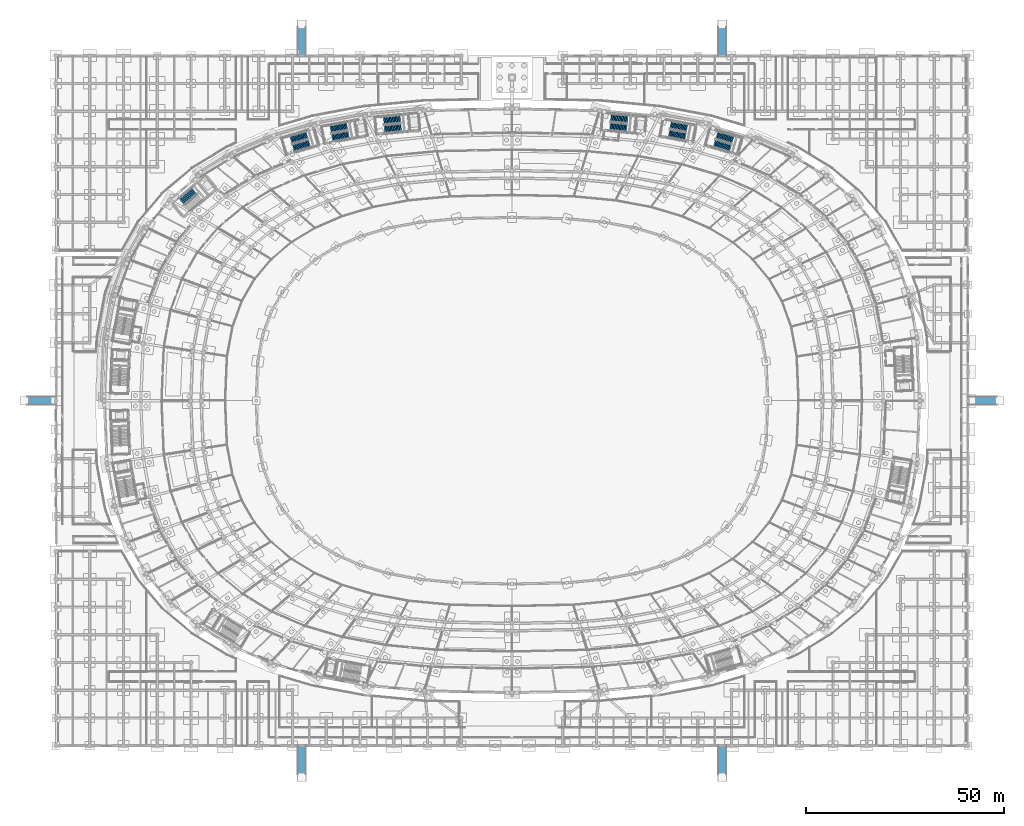
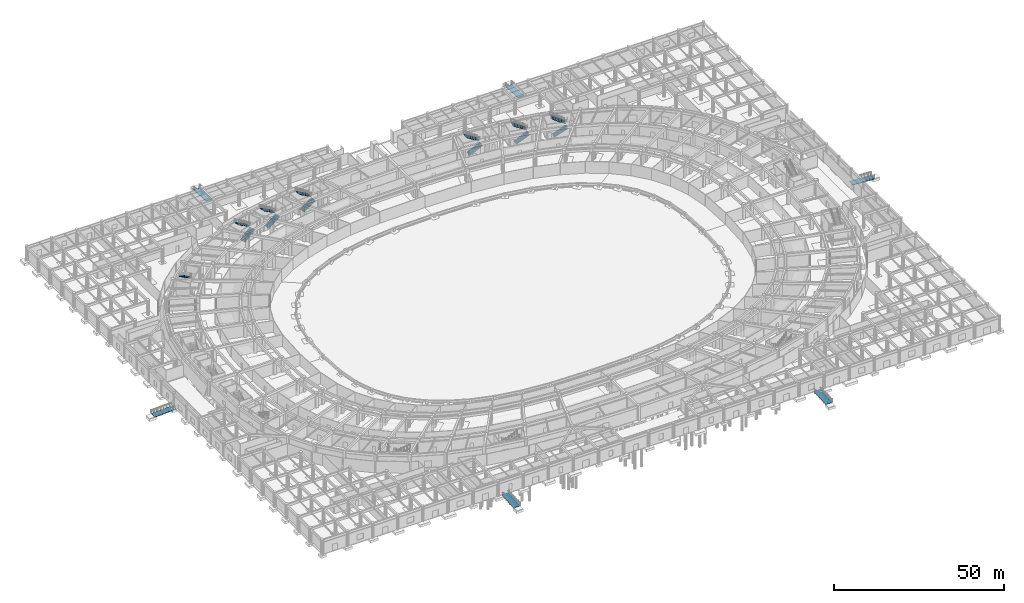
# One storey, part 67 of 88: 13 stair flights, 6 ramp flights, 13 elements without a shape of their own.
"""IFC4 building model written with IfcOpenShell, lengths in metres."""

from ifc_helpers import new_model, si_unit, direction, frame, origin, place, context, subcontext, project, spatial, polyline, outline, extrude, material, layer, layer_set, type_object, element, aggregate, save


model = new_model("IFC4")

# Units and contexts
model_context = context("Model", 3, precision=1e-05, world=origin(), true_north=direction((0.0, 1.0)))
body_context = subcontext(model_context, "Body", "Model", "MODEL_VIEW")
ifc_project = project(units=[si_unit("LENGTHUNIT", "METRE"), si_unit("AREAUNIT", "SQUARE_METRE"), si_unit("VOLUMEUNIT", "CUBIC_METRE"), si_unit("PLANEANGLEUNIT", "RADIAN"), si_unit("MASSUNIT", "GRAM", prefix="KILO")], contexts=[model_context])

# Site, building, storey
site_placement = place(None, origin())
site = spatial("IfcSite", under=ifc_project, at=site_placement, CompositionType="ELEMENT")
building_placement = place(site_placement, origin())
building = spatial("IfcBuilding", under=site, at=building_placement, Name="Mphavela Belvedere Stadium", CompositionType="ELEMENT")
storey_placement = place(building_placement, origin())
storey = spatial("IfcBuildingStorey", under=building, at=storey_placement, Name="L00", CompositionType="ELEMENT", Elevation=0.0)

# Stair, stair flights
ifc_material_1 = material(Name="Concrete C40/50", Category="concrete")
stair_type_1 = type_object("IfcStairType", Name="STR-HALF-TURN-2", PredefinedType="HALF_TURN_STAIR", material=ifc_material_1)
stair_1_placement = place(storey_placement, origin())
stair_1 = element("IfcStair", 1, at=stair_1_placement, inside=storey, type_object=stair_type_1, Name="L00 Escape stair core C02", PredefinedType="HALF_TURN_STAIR")
ifc_material_2 = material(Name="Concrete C40/50", Category="concrete")
stair_flight_type = type_object("IfcStairFlightType", Name="SFL-CORE-152", PredefinedType="STRAIGHT", material=ifc_material_2)
stair_flight_1_placement = place(storey_placement, frame((69.651611328125, 153.302490234375, 0.0), z_axis=(0.0, 0.0, 1.0), x_axis=(0.983095502692, 0.183093507769, 0.0)))
stair_flight_1 = element("IfcStairFlight", 2, at=stair_flight_1_placement, type_object=stair_flight_type, Name="ST-C02 flight 1", NumberOfRisers=15, NumberOfTreads=14, PredefinedType="STRAIGHT", RiserHeight=0.18, TreadLength=0.302, context=body_context, shape_type="SweptSolid", body=[
    extrude(outline(polyline([(0.0, 0.0), (0.0, 0.179931640625), (0.302001953125, 0.179931640625), (0.302001953125, 0.360107421875), (0.60400390625, 0.360107421875), (0.60400390625, 0.5400390625), (0.906005859375, 0.5400390625), (0.906005859375, 0.719970703125), (1.2080078125, 0.719970703125), (1.2080078125, 0.89990234375), (1.510009765625, 0.89990234375), (1.510009765625, 1.080078125), (1.81201171875, 1.080078125), (1.81201171875, 1.260009765625), (2.114013671875, 1.260009765625), (2.114013671875, 1.43994140625), (2.416015625, 1.43994140625), (2.416015625, 1.6201171875), (2.718017578125, 1.6201171875), (2.718017578125, 1.800048828125), (3.02001953125, 1.800048828125), (3.02001953125, 1.97998046875), (3.322021484375, 1.97998046875), (3.322021484375, 2.159912109375), (3.6240234375, 2.159912109375), (3.6240234375, 2.340087890625), (3.926025390625, 2.340087890625), (3.926025390625, 2.52001953125), (4.22802734375, 2.52001953125), (4.22802734375, 2.699951171875), (4.22802734375, 2.345458984375), (0.292724609375, 0.0), (0.0, 0.0)])), frame((0.0, 1.010009765625, 0.0), z_axis=(0.0, -1.0, 0.0), x_axis=(1.0, 0.0, 0.0)), (0.0, 0.0, 1.0), 2.02001953125),
])
stair_flight_2_placement = place(storey_placement, frame((73.410888671875, 156.209716796875, 2.699951171875), z_axis=(0.0, 0.0, 1.0), x_axis=(-0.983095502692, -0.183093507769, 0.0)))
stair_flight_2 = element("IfcStairFlight", 3, at=stair_flight_2_placement, type_object=stair_flight_type, Name="ST-C02 flight 2", NumberOfRisers=15, NumberOfTreads=14, PredefinedType="STRAIGHT", RiserHeight=0.18, TreadLength=0.302, context=body_context, shape_type="SweptSolid", body=[
    extrude(outline(polyline([(0.0, 0.0), (0.0, 0.179931640625), (0.302001953125, 0.179931640625), (0.302001953125, 0.360107421875), (0.60400390625, 0.360107421875), (0.60400390625, 0.5400390625), (0.906005859375, 0.5400390625), (0.906005859375, 0.719970703125), (1.2080078125, 0.719970703125), (1.2080078125, 0.89990234375), (1.510009765625, 0.89990234375), (1.510009765625, 1.080078125), (1.81201171875, 1.080078125), (1.81201171875, 1.260009765625), (2.114013671875, 1.260009765625), (2.114013671875, 1.43994140625), (2.416015625, 1.43994140625), (2.416015625, 1.6201171875), (2.718017578125, 1.6201171875), (2.718017578125, 1.800048828125), (3.02001953125, 1.800048828125), (3.02001953125, 1.97998046875), (3.322021484375, 1.97998046875), (3.322021484375, 2.159912109375), (3.6240234375, 2.159912109375), (3.6240234375, 2.340087890625), (3.926025390625, 2.340087890625), (3.926025390625, 2.52001953125), (4.22802734375, 2.52001953125), (4.22802734375, 2.699951171875), (4.22802734375, 2.345458984375), (0.292724609375, 0.0), (0.0, 0.0)])), frame((0.0, 1.010009765625, 0.0), z_axis=(0.0, -1.0, 0.0), x_axis=(1.0, 0.0, 0.0)), (0.0, 0.0, 1.0), 2.02001953125),
])
aggregate(stair_1, [stair_flight_1, stair_flight_2])

ifc_material_3 = material(Name="Concrete C40/50", Category="concrete")
stair_type_2 = type_object("IfcStairType", Name="STR-HALF-TURN-3", PredefinedType="HALF_TURN_STAIR", material=ifc_material_3)
stair_2_placement = place(storey_placement, origin())
stair_2 = element("IfcStair", 4, at=stair_2_placement, inside=storey, type_object=stair_type_2, Name="L00 Escape stair core C03", PredefinedType="HALF_TURN_STAIR")
stair_flight_3_placement = place(storey_placement, frame((139.716796875, 156.15625, 0.0), z_axis=(0.0, 0.0, 1.0), x_axis=(0.995479460536, -0.094977069084, 0.0)))
stair_flight_3 = element("IfcStairFlight", 5, at=stair_flight_3_placement, type_object=stair_flight_type, Name="ST-C03 flight 1", NumberOfRisers=15, NumberOfTreads=14, PredefinedType="STRAIGHT", RiserHeight=0.18, TreadLength=0.302, context=body_context, shape_type="SweptSolid", body=[
    extrude(outline(polyline([(0.0, 0.0), (0.0, 0.179931640625), (0.302001953125, 0.179931640625), (0.302001953125, 0.360107421875), (0.60400390625, 0.360107421875), (0.60400390625, 0.5400390625), (0.906005859375, 0.5400390625), (0.906005859375, 0.719970703125), (1.2080078125, 0.719970703125), (1.2080078125, 0.89990234375), (1.510009765625, 0.89990234375), (1.510009765625, 1.080078125), (1.81201171875, 1.080078125), (1.81201171875, 1.260009765625), (2.114013671875, 1.260009765625), (2.114013671875, 1.43994140625), (2.416015625, 1.43994140625), (2.416015625, 1.6201171875), (2.718017578125, 1.6201171875), (2.718017578125, 1.800048828125), (3.02001953125, 1.800048828125), (3.02001953125, 1.97998046875), (3.322021484375, 1.97998046875), (3.322021484375, 2.159912109375), (3.6240234375, 2.159912109375), (3.6240234375, 2.340087890625), (3.926025390625, 2.340087890625), (3.926025390625, 2.52001953125), (4.22802734375, 2.52001953125), (4.22802734375, 2.699951171875), (4.22802734375, 2.345458984375), (0.292724609375, 0.0), (0.0, 0.0)])), frame((0.0, 1.010009765625, 0.0), z_axis=(0.0, -1.0, 0.0), x_axis=(1.0, 0.0, 0.0)), (0.0, 0.0, 1.0), 2.02001953125),
])
stair_flight_4_placement = place(storey_placement, frame((144.1318359375, 157.914794921875, 2.699951171875), z_axis=(0.0, 0.0, 1.0), x_axis=(-0.995479460536, 0.094977069084, 0.0)))
stair_flight_4 = element("IfcStairFlight", 6, at=stair_flight_4_placement, type_object=stair_flight_type, Name="ST-C03 flight 2", NumberOfRisers=15, NumberOfTreads=14, PredefinedType="STRAIGHT", RiserHeight=0.18, TreadLength=0.302, context=body_context, shape_type="SweptSolid", body=[
    extrude(outline(polyline([(0.0, 0.0), (0.0, 0.179931640625), (0.302001953125, 0.179931640625), (0.302001953125, 0.360107421875), (0.60400390625, 0.360107421875), (0.60400390625, 0.5400390625), (0.906005859375, 0.5400390625), (0.906005859375, 0.719970703125), (1.2080078125, 0.719970703125), (1.2080078125, 0.89990234375), (1.510009765625, 0.89990234375), (1.510009765625, 1.080078125), (1.81201171875, 1.080078125), (1.81201171875, 1.260009765625), (2.114013671875, 1.260009765625), (2.114013671875, 1.43994140625), (2.416015625, 1.43994140625), (2.416015625, 1.6201171875), (2.718017578125, 1.6201171875), (2.718017578125, 1.800048828125), (3.02001953125, 1.800048828125), (3.02001953125, 1.97998046875), (3.322021484375, 1.97998046875), (3.322021484375, 2.159912109375), (3.6240234375, 2.159912109375), (3.6240234375, 2.340087890625), (3.926025390625, 2.340087890625), (3.926025390625, 2.52001953125), (4.22802734375, 2.52001953125), (4.22802734375, 2.699951171875), (4.22802734375, 2.345458984375), (0.292724609375, 0.0), (0.0, 0.0)])), frame((0.0, 1.010009765625, 0.0), z_axis=(0.0, -1.0, 0.0), x_axis=(1.0, 0.0, 0.0)), (0.0, 0.0, 1.0), 2.02001953125),
])
aggregate(stair_2, [stair_flight_3, stair_flight_4])

ifc_material_4 = material(Name="Concrete C40/50", Category="concrete")
stair_type_3 = type_object("IfcStairType", Name="STR-HALF-TURN-1", PredefinedType="HALF_TURN_STAIR", material=ifc_material_4)
stair_3_placement = place(storey_placement, origin())
stair_3 = element("IfcStair", 7, at=stair_3_placement, inside=storey, type_object=stair_type_3, Name="L00 Escape stair core C04", PredefinedType="HALF_TURN_STAIR")
stair_flight_5_placement = place(storey_placement, frame((82.85693359375, 155.44775390625, 0.0), z_axis=(0.0, 0.0, 1.0), x_axis=(0.995479460536, 0.094977069084, 0.0)))
stair_flight_5 = element("IfcStairFlight", 8, at=stair_flight_5_placement, type_object=stair_flight_type, Name="ST-C04 flight 1", NumberOfRisers=15, NumberOfTreads=14, PredefinedType="STRAIGHT", RiserHeight=0.18, TreadLength=0.302, context=body_context, shape_type="SweptSolid", body=[
    extrude(outline(polyline([(0.0, 0.0), (0.0, 0.179931640625), (0.302001953125, 0.179931640625), (0.302001953125, 0.360107421875), (0.60400390625, 0.360107421875), (0.60400390625, 0.5400390625), (0.906005859375, 0.5400390625), (0.906005859375, 0.719970703125), (1.2080078125, 0.719970703125), (1.2080078125, 0.89990234375), (1.510009765625, 0.89990234375), (1.510009765625, 1.080078125), (1.81201171875, 1.080078125), (1.81201171875, 1.260009765625), (2.114013671875, 1.260009765625), (2.114013671875, 1.43994140625), (2.416015625, 1.43994140625), (2.416015625, 1.6201171875), (2.718017578125, 1.6201171875), (2.718017578125, 1.800048828125), (3.02001953125, 1.800048828125), (3.02001953125, 1.97998046875), (3.322021484375, 1.97998046875), (3.322021484375, 2.159912109375), (3.6240234375, 2.159912109375), (3.6240234375, 2.340087890625), (3.926025390625, 2.340087890625), (3.926025390625, 2.52001953125), (4.22802734375, 2.52001953125), (4.22802734375, 2.699951171875), (4.22802734375, 2.345458984375), (0.292724609375, 0.0), (0.0, 0.0)])), frame((0.0, 1.010009765625, 0.0), z_axis=(0.0, -1.0, 0.0), x_axis=(1.0, 0.0, 0.0)), (0.0, 0.0, 1.0), 2.02001953125),
])
stair_flight_6_placement = place(storey_placement, frame((86.859619140625, 158.009521484375, 2.699951171875), z_axis=(0.0, 0.0, 1.0), x_axis=(-0.995479460536, -0.094977069084, 0.0)))
stair_flight_6 = element("IfcStairFlight", 9, at=stair_flight_6_placement, type_object=stair_flight_type, Name="ST-C04 flight 2", NumberOfRisers=15, NumberOfTreads=14, PredefinedType="STRAIGHT", RiserHeight=0.18, TreadLength=0.302, context=body_context, shape_type="SweptSolid", body=[
    extrude(outline(polyline([(0.0, 0.0), (0.0, 0.179931640625), (0.302001953125, 0.179931640625), (0.302001953125, 0.360107421875), (0.60400390625, 0.360107421875), (0.60400390625, 0.5400390625), (0.906005859375, 0.5400390625), (0.906005859375, 0.719970703125), (1.2080078125, 0.719970703125), (1.2080078125, 0.89990234375), (1.510009765625, 0.89990234375), (1.510009765625, 1.080078125), (1.81201171875, 1.080078125), (1.81201171875, 1.260009765625), (2.114013671875, 1.260009765625), (2.114013671875, 1.43994140625), (2.416015625, 1.43994140625), (2.416015625, 1.6201171875), (2.718017578125, 1.6201171875), (2.718017578125, 1.800048828125), (3.02001953125, 1.800048828125), (3.02001953125, 1.97998046875), (3.322021484375, 1.97998046875), (3.322021484375, 2.159912109375), (3.6240234375, 2.159912109375), (3.6240234375, 2.340087890625), (3.926025390625, 2.340087890625), (3.926025390625, 2.52001953125), (4.22802734375, 2.52001953125), (4.22802734375, 2.699951171875), (4.22802734375, 2.345458984375), (0.292724609375, 0.0), (0.0, 0.0)])), frame((0.0, 1.010009765625, 0.0), z_axis=(0.0, -1.0, 0.0), x_axis=(1.0, 0.0, 0.0)), (0.0, 0.0, 1.0), 2.02001953125),
])
aggregate(stair_3, [stair_flight_5, stair_flight_6])

# Stair, stair flight
stair_4_placement = place(storey_placement, origin())
stair_4 = element("IfcStair", 10, at=stair_4_placement, inside=storey, type_object=stair_type_1, Name="L00 Escape stair core C05", PredefinedType="HALF_TURN_STAIR")
stair_flight_7_placement = place(storey_placement, frame((34.89990234375, 139.910400390625, 2.699951171875), z_axis=(0.0, 0.0, 1.0), x_axis=(-0.764246456939, -0.644924300253, 0.0)))
stair_flight_7 = element("IfcStairFlight", 11, at=stair_flight_7_placement, type_object=stair_flight_type, Name="ST-C05 flight 2", NumberOfRisers=15, NumberOfTreads=14, PredefinedType="STRAIGHT", RiserHeight=0.18, TreadLength=0.302, context=body_context, shape_type="SweptSolid", body=[
    extrude(outline(polyline([(0.0, 0.0), (0.0, 0.179931640625), (0.302001953125, 0.179931640625), (0.302001953125, 0.360107421875), (0.60400390625, 0.360107421875), (0.60400390625, 0.5400390625), (0.906005859375, 0.5400390625), (0.906005859375, 0.719970703125), (1.2080078125, 0.719970703125), (1.2080078125, 0.89990234375), (1.510009765625, 0.89990234375), (1.510009765625, 1.080078125), (1.81201171875, 1.080078125), (1.81201171875, 1.260009765625), (2.114013671875, 1.260009765625), (2.114013671875, 1.43994140625), (2.416015625, 1.43994140625), (2.416015625, 1.6201171875), (2.718017578125, 1.6201171875), (2.718017578125, 1.800048828125), (3.02001953125, 1.800048828125), (3.02001953125, 1.97998046875), (3.322021484375, 1.97998046875), (3.322021484375, 2.159912109375), (3.6240234375, 2.159912109375), (3.6240234375, 2.340087890625), (3.926025390625, 2.340087890625), (3.926025390625, 2.52001953125), (4.22802734375, 2.52001953125), (4.22802734375, 2.699951171875), (4.22802734375, 2.345458984375), (0.292724609375, 0.0), (0.0, 0.0)])), frame((0.0, 1.010009765625, 0.0), z_axis=(0.0, -1.0, 0.0), x_axis=(1.0, 0.0, 0.0)), (0.0, 0.0, 1.0), 2.02001953125),
])
aggregate(stair_4, [stair_flight_7])

# Stair, stair flights
ifc_material_5 = material(Name="Precast concrete C45/55", Category="concrete")
stair_type_4 = type_object("IfcStairType", Name="STR-TWO-RET-1", PredefinedType="TWO_STRAIGHT_RUN_STAIR", material=ifc_material_5)
stair_5_placement = place(storey_placement, origin())
stair_5 = element("IfcStair", 12, at=stair_5_placement, inside=storey, type_object=stair_type_4, Name="L00 Escape stair core P01", PredefinedType="TWO_STRAIGHT_RUN_STAIR")
stair_flight_8_placement = place(storey_placement, frame((166.023681640625, 151.8837890625, 0.0), z_axis=(0.0, 0.0, 1.0), x_axis=(0.958670893355, -0.284517342588, 0.0)))
stair_flight_8 = element("IfcStairFlight", 13, at=stair_flight_8_placement, type_object=stair_flight_type, Name="ST-P01 flight 1", NumberOfRisers=15, NumberOfTreads=14, PredefinedType="STRAIGHT", RiserHeight=0.18, TreadLength=0.302, context=body_context, shape_type="SweptSolid", body=[
    extrude(outline(polyline([(0.0, 0.0), (0.0, 0.179931640625), (0.302001953125, 0.179931640625), (0.302001953125, 0.360107421875), (0.60400390625, 0.360107421875), (0.60400390625, 0.5400390625), (0.906005859375, 0.5400390625), (0.906005859375, 0.719970703125), (1.2080078125, 0.719970703125), (1.2080078125, 0.89990234375), (1.510009765625, 0.89990234375), (1.510009765625, 1.080078125), (1.81201171875, 1.080078125), (1.81201171875, 1.260009765625), (2.114013671875, 1.260009765625), (2.114013671875, 1.43994140625), (2.416015625, 1.43994140625), (2.416015625, 1.6201171875), (2.718017578125, 1.6201171875), (2.718017578125, 1.800048828125), (3.02001953125, 1.800048828125), (3.02001953125, 1.97998046875), (3.322021484375, 1.97998046875), (3.322021484375, 2.159912109375), (3.6240234375, 2.159912109375), (3.6240234375, 2.340087890625), (3.926025390625, 2.340087890625), (3.926025390625, 2.52001953125), (4.22802734375, 2.52001953125), (4.22802734375, 2.699951171875), (4.22802734375, 2.345458984375), (0.292724609375, 0.0), (0.0, 0.0)])), frame((0.0, 1.010009765625, 0.0), z_axis=(0.0, -1.0, 0.0), x_axis=(1.0, 0.0, 0.0)), (0.0, 0.0, 1.0), 2.02001953125),
])
stair_flight_9_placement = place(storey_placement, frame((170.6943359375, 152.76123046875, 2.699951171875), z_axis=(0.0, 0.0, 1.0), x_axis=(-0.958670893355, 0.284517342588, 0.0)))
stair_flight_9 = element("IfcStairFlight", 14, at=stair_flight_9_placement, type_object=stair_flight_type, Name="ST-P01 flight 2", NumberOfRisers=15, NumberOfTreads=14, PredefinedType="STRAIGHT", RiserHeight=0.18, TreadLength=0.302, context=body_context, shape_type="SweptSolid", body=[
    extrude(outline(polyline([(0.0, 0.0), (0.0, 0.179931640625), (0.302001953125, 0.179931640625), (0.302001953125, 0.360107421875), (0.60400390625, 0.360107421875), (0.60400390625, 0.5400390625), (0.906005859375, 0.5400390625), (0.906005859375, 0.719970703125), (1.2080078125, 0.719970703125), (1.2080078125, 0.89990234375), (1.510009765625, 0.89990234375), (1.510009765625, 1.080078125), (1.81201171875, 1.080078125), (1.81201171875, 1.260009765625), (2.114013671875, 1.260009765625), (2.114013671875, 1.43994140625), (2.416015625, 1.43994140625), (2.416015625, 1.6201171875), (2.718017578125, 1.6201171875), (2.718017578125, 1.800048828125), (3.02001953125, 1.800048828125), (3.02001953125, 1.97998046875), (3.322021484375, 1.97998046875), (3.322021484375, 2.159912109375), (3.6240234375, 2.159912109375), (3.6240234375, 2.340087890625), (3.926025390625, 2.340087890625), (3.926025390625, 2.52001953125), (4.22802734375, 2.52001953125), (4.22802734375, 2.699951171875), (4.22802734375, 2.345458984375), (0.292724609375, 0.0), (0.0, 0.0)])), frame((0.0, 1.010009765625, 0.0), z_axis=(0.0, -1.0, 0.0), x_axis=(1.0, 0.0, 0.0)), (0.0, 0.0, 1.0), 2.02001953125),
])
aggregate(stair_5, [stair_flight_8, stair_flight_9])

ifc_material_6 = material(Name="Precast concrete C45/55", Category="concrete")
stair_type_5 = type_object("IfcStairType", Name="STR-TWO-RET-2", PredefinedType="TWO_STRAIGHT_RUN_STAIR", material=ifc_material_6)
stair_6_placement = place(storey_placement, origin())
stair_6 = element("IfcStair", 15, at=stair_6_placement, inside=storey, type_object=stair_type_5, Name="L00 Escape stair core P02", PredefinedType="TWO_STRAIGHT_RUN_STAIR")
stair_flight_10_placement = place(storey_placement, frame((154.577392578125, 154.377197265625, 0.0), z_axis=(0.0, 0.0, 1.0), x_axis=(0.983095502692, -0.183093507769, 0.0)))
stair_flight_10 = element("IfcStairFlight", 16, at=stair_flight_10_placement, type_object=stair_flight_type, Name="ST-P02 flight 1", NumberOfRisers=15, NumberOfTreads=14, PredefinedType="STRAIGHT", RiserHeight=0.18, TreadLength=0.302, context=body_context, shape_type="SweptSolid", body=[
    extrude(outline(polyline([(0.0, 0.0), (0.0, 0.179931640625), (0.302001953125, 0.179931640625), (0.302001953125, 0.360107421875), (0.60400390625, 0.360107421875), (0.60400390625, 0.5400390625), (0.906005859375, 0.5400390625), (0.906005859375, 0.719970703125), (1.2080078125, 0.719970703125), (1.2080078125, 0.89990234375), (1.510009765625, 0.89990234375), (1.510009765625, 1.080078125), (1.81201171875, 1.080078125), (1.81201171875, 1.260009765625), (2.114013671875, 1.260009765625), (2.114013671875, 1.43994140625), (2.416015625, 1.43994140625), (2.416015625, 1.6201171875), (2.718017578125, 1.6201171875), (2.718017578125, 1.800048828125), (3.02001953125, 1.800048828125), (3.02001953125, 1.97998046875), (3.322021484375, 1.97998046875), (3.322021484375, 2.159912109375), (3.6240234375, 2.159912109375), (3.6240234375, 2.340087890625), (3.926025390625, 2.340087890625), (3.926025390625, 2.52001953125), (4.22802734375, 2.52001953125), (4.22802734375, 2.699951171875), (4.22802734375, 2.345458984375), (0.292724609375, 0.0), (0.0, 0.0)])), frame((0.0, 1.010009765625, 0.0), z_axis=(0.0, -1.0, 0.0), x_axis=(1.0, 0.0, 0.0)), (0.0, 0.0, 1.0), 2.02001953125),
])
stair_flight_11_placement = place(storey_placement, frame((159.13134765625, 155.736328125, 2.699951171875), z_axis=(0.0, 0.0, 1.0), x_axis=(-0.983095502692, 0.183093507769, 0.0)))
stair_flight_11 = element("IfcStairFlight", 17, at=stair_flight_11_placement, type_object=stair_flight_type, Name="ST-P02 flight 2", NumberOfRisers=15, NumberOfTreads=14, PredefinedType="STRAIGHT", RiserHeight=0.18, TreadLength=0.302, context=body_context, shape_type="SweptSolid", body=[
    extrude(outline(polyline([(0.0, 0.0), (0.0, 0.179931640625), (0.302001953125, 0.179931640625), (0.302001953125, 0.360107421875), (0.60400390625, 0.360107421875), (0.60400390625, 0.5400390625), (0.906005859375, 0.5400390625), (0.906005859375, 0.719970703125), (1.2080078125, 0.719970703125), (1.2080078125, 0.89990234375), (1.510009765625, 0.89990234375), (1.510009765625, 1.080078125), (1.81201171875, 1.080078125), (1.81201171875, 1.260009765625), (2.114013671875, 1.260009765625), (2.114013671875, 1.43994140625), (2.416015625, 1.43994140625), (2.416015625, 1.6201171875), (2.718017578125, 1.6201171875), (2.718017578125, 1.800048828125), (3.02001953125, 1.800048828125), (3.02001953125, 1.97998046875), (3.322021484375, 1.97998046875), (3.322021484375, 2.159912109375), (3.6240234375, 2.159912109375), (3.6240234375, 2.340087890625), (3.926025390625, 2.340087890625), (3.926025390625, 2.52001953125), (4.22802734375, 2.52001953125), (4.22802734375, 2.699951171875), (4.22802734375, 2.345458984375), (0.292724609375, 0.0), (0.0, 0.0)])), frame((0.0, 1.010009765625, 0.0), z_axis=(0.0, -1.0, 0.0), x_axis=(1.0, 0.0, 0.0)), (0.0, 0.0, 1.0), 2.02001953125),
])
aggregate(stair_6, [stair_flight_10, stair_flight_11])

stair_7_placement = place(storey_placement, origin())
stair_7 = element("IfcStair", 18, at=stair_7_placement, inside=storey, type_object=stair_type_4, Name="L00 Escape stair core P03", PredefinedType="TWO_STRAIGHT_RUN_STAIR")
stair_flight_12_placement = place(storey_placement, frame((59.873046875, 150.666015625, 0.0), z_axis=(0.0, 0.0, 1.0), x_axis=(0.958670893355, 0.284517342588, 0.0)))
stair_flight_12 = element("IfcStairFlight", 19, at=stair_flight_12_placement, type_object=stair_flight_type, Name="ST-P03 flight 1", NumberOfRisers=15, NumberOfTreads=14, PredefinedType="STRAIGHT", RiserHeight=0.18, TreadLength=0.302, context=body_context, shape_type="SweptSolid", body=[
    extrude(outline(polyline([(0.0, 0.0), (0.0, 0.179931640625), (0.302001953125, 0.179931640625), (0.302001953125, 0.360107421875), (0.60400390625, 0.360107421875), (0.60400390625, 0.5400390625), (0.906005859375, 0.5400390625), (0.906005859375, 0.719970703125), (1.2080078125, 0.719970703125), (1.2080078125, 0.89990234375), (1.510009765625, 0.89990234375), (1.510009765625, 1.080078125), (1.81201171875, 1.080078125), (1.81201171875, 1.260009765625), (2.114013671875, 1.260009765625), (2.114013671875, 1.43994140625), (2.416015625, 1.43994140625), (2.416015625, 1.6201171875), (2.718017578125, 1.6201171875), (2.718017578125, 1.800048828125), (3.02001953125, 1.800048828125), (3.02001953125, 1.97998046875), (3.322021484375, 1.97998046875), (3.322021484375, 2.159912109375), (3.6240234375, 2.159912109375), (3.6240234375, 2.340087890625), (3.926025390625, 2.340087890625), (3.926025390625, 2.52001953125), (4.22802734375, 2.52001953125), (4.22802734375, 2.699951171875), (4.22802734375, 2.345458984375), (0.292724609375, 0.0), (0.0, 0.0)])), frame((0.0, 1.010009765625, 0.0), z_axis=(0.0, -1.0, 0.0), x_axis=(1.0, 0.0, 0.0)), (0.0, 0.0, 1.0), 2.02001953125),
])
stair_flight_13_placement = place(storey_placement, frame((63.30908203125, 153.94921875, 2.699951171875), z_axis=(0.0, 0.0, 1.0), x_axis=(-0.958670893355, -0.284517342588, 0.0)))
stair_flight_13 = element("IfcStairFlight", 20, at=stair_flight_13_placement, type_object=stair_flight_type, Name="ST-P03 flight 2", NumberOfRisers=15, NumberOfTreads=14, PredefinedType="STRAIGHT", RiserHeight=0.18, TreadLength=0.302, context=body_context, shape_type="SweptSolid", body=[
    extrude(outline(polyline([(0.0, 0.0), (0.0, 0.179931640625), (0.302001953125, 0.179931640625), (0.302001953125, 0.360107421875), (0.60400390625, 0.360107421875), (0.60400390625, 0.5400390625), (0.906005859375, 0.5400390625), (0.906005859375, 0.719970703125), (1.2080078125, 0.719970703125), (1.2080078125, 0.89990234375), (1.510009765625, 0.89990234375), (1.510009765625, 1.080078125), (1.81201171875, 1.080078125), (1.81201171875, 1.260009765625), (2.114013671875, 1.260009765625), (2.114013671875, 1.43994140625), (2.416015625, 1.43994140625), (2.416015625, 1.6201171875), (2.718017578125, 1.6201171875), (2.718017578125, 1.800048828125), (3.02001953125, 1.800048828125), (3.02001953125, 1.97998046875), (3.322021484375, 1.97998046875), (3.322021484375, 2.159912109375), (3.6240234375, 2.159912109375), (3.6240234375, 2.340087890625), (3.926025390625, 2.340087890625), (3.926025390625, 2.52001953125), (4.22802734375, 2.52001953125), (4.22802734375, 2.699951171875), (4.22802734375, 2.345458984375), (0.292724609375, 0.0), (0.0, 0.0)])), frame((0.0, 1.010009765625, 0.0), z_axis=(0.0, -1.0, 0.0), x_axis=(1.0, 0.0, 0.0)), (0.0, 0.0, 1.0), 2.02001953125),
])
aggregate(stair_7, [stair_flight_12, stair_flight_13])

# Ramp, ramp flight
ifc_material_7 = material(Name="Concrete C40/50", Category="concrete")
ramp_type = type_object("IfcRampType", Name="RMP-PED-18", PredefinedType="STRAIGHT_RUN_RAMP", material=ifc_material_7)
ramp_1_placement = place(storey_placement, origin())
ramp_1 = element("IfcRamp", 21, at=ramp_1_placement, inside=storey, type_object=ramp_type, Name="Accessible pedestrian approach ramp RP1", PredefinedType="STRAIGHT_RUN_RAMP")
ifc_material_8 = material(Name="Concrete C40/50", Category="concrete")
ifc_layer = layer(ifc_material_8, 0.199951171875)
ifc_layer_set = layer_set([ifc_layer], Name="Concrete C40/50")
ramp_flight_type = type_object("IfcRampFlightType", Name="RFL-PED-200", PredefinedType="STRAIGHT", material=ifc_layer_set)
ramp_flight_1_placement = place(storey_placement, frame((63.050048828125, -7.199951171875, -0.39990234375), z_axis=(0.0, -0.055075224161, 0.998482207996), x_axis=(0.0, 0.998482207996, 0.055075224161)))
ramp_flight_1 = element("IfcRampFlight", 22, at=ramp_flight_1_placement, type_object=ramp_flight_type, Name="Ramp RP1 flight (1:18)", PredefinedType="STRAIGHT", context=body_context, shape_type="SweptSolid", body=[
    extrude(outline(polyline([(0.0, 0.0), (7.261020719192085, 0.0), (7.261020719192085, 2.10009765625), (0.0, 2.10009765625), (0.0, 0.0)])), origin(), (0.0, 0.0, -1.0), 0.199951171875),
])
aggregate(ramp_1, [ramp_flight_1])

ramp_2_placement = place(storey_placement, origin())
ramp_2 = element("IfcRamp", 23, at=ramp_2_placement, inside=storey, type_object=ramp_type, Name="Accessible pedestrian approach ramp RP2", PredefinedType="STRAIGHT_RUN_RAMP")
ramp_flight_2_placement = place(storey_placement, frame((169.050048828125, -7.199951171875, -0.39990234375), z_axis=(0.0, -0.055075224161, 0.998482207996), x_axis=(0.0, 0.998482207996, 0.055075224161)))
ramp_flight_2 = element("IfcRampFlight", 24, at=ramp_flight_2_placement, type_object=ramp_flight_type, Name="Ramp RP2 flight (1:18)", PredefinedType="STRAIGHT", context=body_context, shape_type="SweptSolid", body=[
    extrude(outline(polyline([(0.0, 0.0), (7.261020719192085, 0.0), (7.261020719192085, 2.10009765625), (0.0, 2.10009765625), (0.0, 0.0)])), origin(), (0.0, 0.0, -1.0), 0.199951171875),
])
aggregate(ramp_2, [ramp_flight_2])

ramp_3_placement = place(storey_placement, origin())
ramp_3 = element("IfcRamp", 25, at=ramp_3_placement, inside=storey, type_object=ramp_type, Name="Accessible pedestrian approach ramp RP3", PredefinedType="STRAIGHT_RUN_RAMP")
ramp_flight_3_placement = place(storey_placement, frame((60.949951171875, 181.199951171875, -0.39990234375), z_axis=(0.0, 0.055075224161, 0.998482207996), x_axis=(0.0, -0.998482207996, 0.055075224161)))
ramp_flight_3 = element("IfcRampFlight", 26, at=ramp_flight_3_placement, type_object=ramp_flight_type, Name="Ramp RP3 flight (1:18)", PredefinedType="STRAIGHT", context=body_context, shape_type="SweptSolid", body=[
    extrude(outline(polyline([(0.0, 0.0), (7.261020719192085, 0.0), (7.261020719192085, 2.10009765625), (0.0, 2.10009765625), (0.0, 0.0)])), origin(), (0.0, 0.0, -1.0), 0.199951171875),
])
aggregate(ramp_3, [ramp_flight_3])

ramp_4_placement = place(storey_placement, origin())
ramp_4 = element("IfcRamp", 27, at=ramp_4_placement, inside=storey, type_object=ramp_type, Name="Accessible pedestrian approach ramp RP4", PredefinedType="STRAIGHT_RUN_RAMP")
ramp_flight_4_placement = place(storey_placement, frame((166.949951171875, 181.199951171875, -0.39990234375), z_axis=(0.0, 0.055075224161, 0.998482207996), x_axis=(0.0, -0.998482207996, 0.055075224161)))
ramp_flight_4 = element("IfcRampFlight", 28, at=ramp_flight_4_placement, type_object=ramp_flight_type, Name="Ramp RP4 flight (1:18)", PredefinedType="STRAIGHT", context=body_context, shape_type="SweptSolid", body=[
    extrude(outline(polyline([(0.0, 0.0), (7.261020719192085, 0.0), (7.261020719192085, 2.10009765625), (0.0, 2.10009765625), (0.0, 0.0)])), origin(), (0.0, 0.0, -1.0), 0.199951171875),
])
aggregate(ramp_4, [ramp_flight_4])

ramp_5_placement = place(storey_placement, origin())
ramp_5 = element("IfcRamp", 29, at=ramp_5_placement, inside=storey, type_object=ramp_type, Name="Accessible pedestrian approach ramp RP5", PredefinedType="STRAIGHT_RUN_RAMP")
ramp_flight_5_placement = place(storey_placement, frame((-7.199951171875, 85.949951171875, -0.39990234375), z_axis=(-0.055075224161, 0.0, 0.998482207996), x_axis=(0.998482207996, 0.0, 0.055075224161)))
ramp_flight_5 = element("IfcRampFlight", 30, at=ramp_flight_5_placement, type_object=ramp_flight_type, Name="Ramp RP5 flight (1:18)", PredefinedType="STRAIGHT", context=body_context, shape_type="SweptSolid", body=[
    extrude(outline(polyline([(0.0, 0.0), (7.261020719192085, 0.0), (7.261020719192085, 2.10009765625), (0.0, 2.10009765625), (0.0, 0.0)])), origin(), (0.0, 0.0, -1.0), 0.199951171875),
])
aggregate(ramp_5, [ramp_flight_5])

ramp_6_placement = place(storey_placement, origin())
ramp_6 = element("IfcRamp", 31, at=ramp_6_placement, inside=storey, type_object=ramp_type, Name="Accessible pedestrian approach ramp RP6", PredefinedType="STRAIGHT_RUN_RAMP")
ramp_flight_6_placement = place(storey_placement, frame((237.199951171875, 88.050048828125, -0.39990234375), z_axis=(0.055075224161, 0.0, 0.998482207996), x_axis=(-0.998482207996, 0.0, 0.055075224161)))
ramp_flight_6 = element("IfcRampFlight", 32, at=ramp_flight_6_placement, type_object=ramp_flight_type, Name="Ramp RP6 flight (1:18)", PredefinedType="STRAIGHT", context=body_context, shape_type="SweptSolid", body=[
    extrude(outline(polyline([(0.0, 0.0), (7.261020719192085, 0.0), (7.261020719192085, 2.10009765625), (0.0, 2.10009765625), (0.0, 0.0)])), origin(), (0.0, 0.0, -1.0), 0.199951171875),
])
aggregate(ramp_6, [ramp_flight_6])

save(model, "model.ifc")
